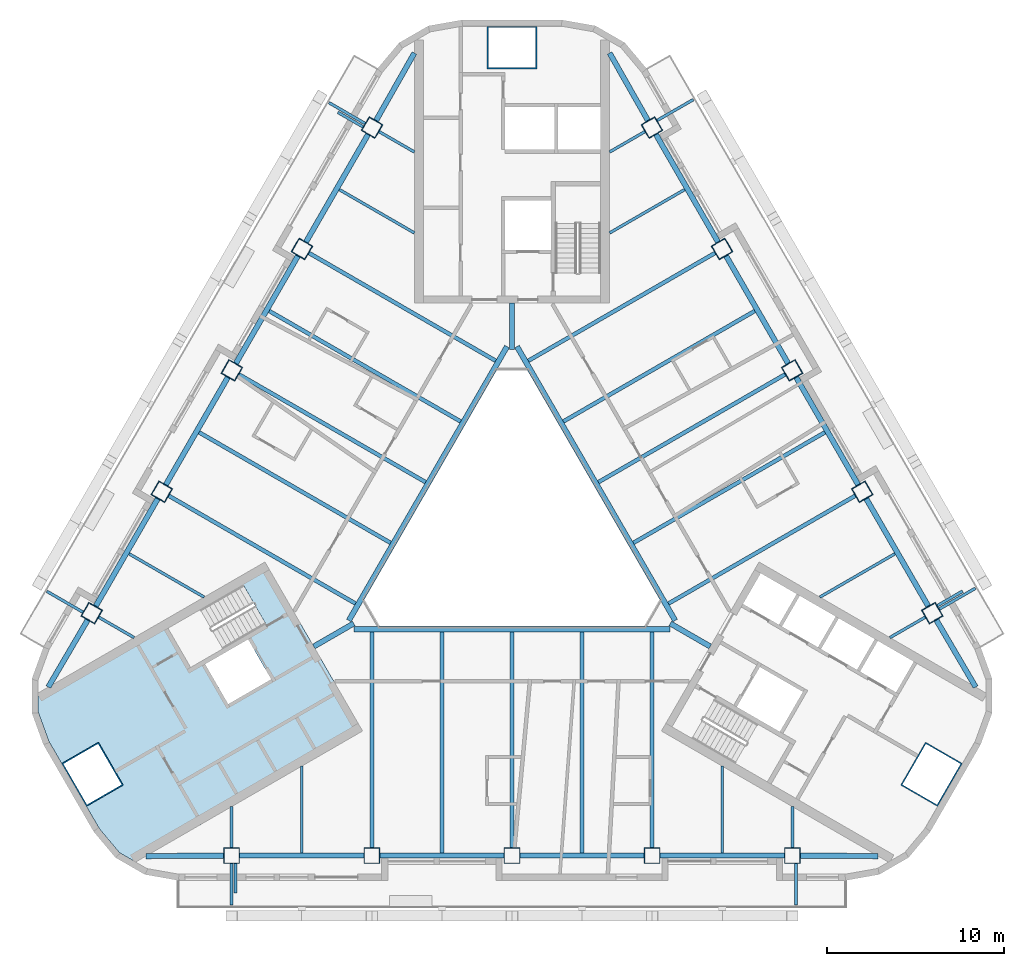
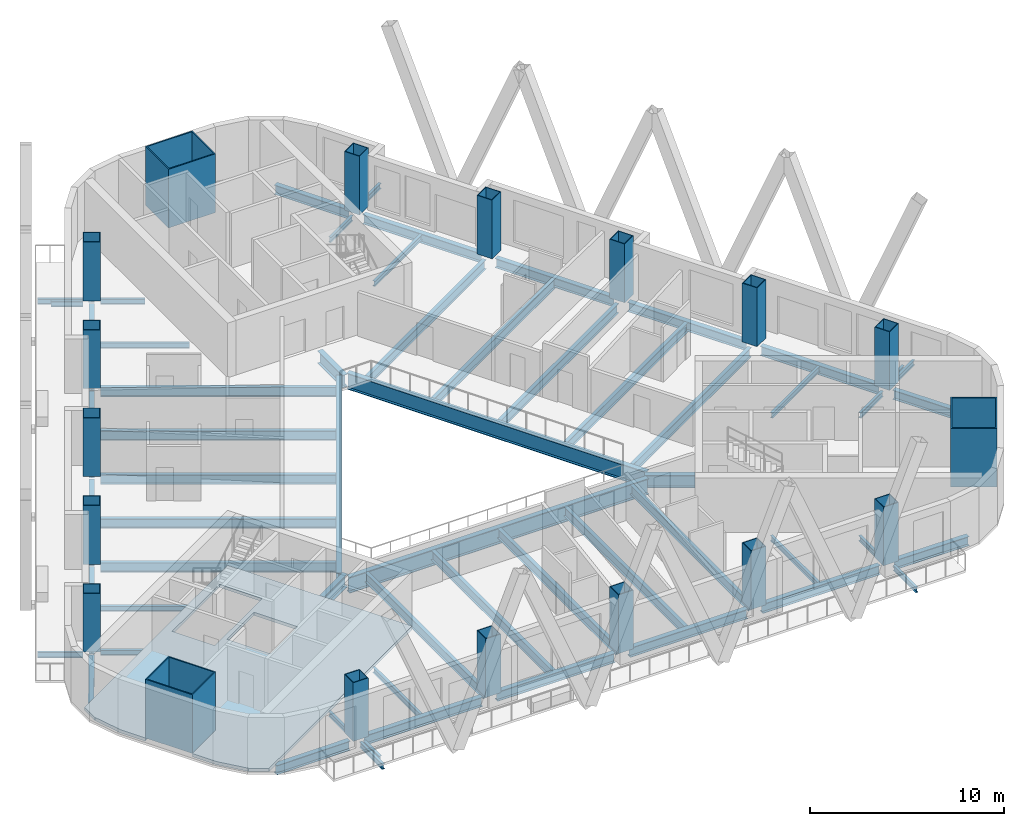
# One storey, part 1 of 13: 60 beams, 18 columns, 1 slab.
"""IFC4 building model written with IfcOpenShell, lengths in metres."""

from ifc_helpers import new_model, si_unit, direction, frame, origin, origin_2d, place, context, subcontext, project, spatial, polyline, rectangle, hollow_rectangle, i_section, outline, extrude, material, layer, layer_set, material_profile, profile_set, type_object, element, save


model = new_model("IFC4")

# Units and contexts
model_context = context("Model", 3, precision=1e-05, world=origin(), true_north=direction((0.0, 1.0)))
body_context = subcontext(model_context, "Body", "Model", "MODEL_VIEW")
ifc_project = project(units=[si_unit("LENGTHUNIT", "METRE"), si_unit("AREAUNIT", "SQUARE_METRE"), si_unit("VOLUMEUNIT", "CUBIC_METRE"), si_unit("PLANEANGLEUNIT", "RADIAN"), si_unit("MASSUNIT", "GRAM", prefix="KILO")], contexts=[model_context])

# Site, building, storey
site_placement = place(None, origin())
site = spatial("IfcSite", under=ifc_project, at=site_placement, CompositionType="ELEMENT")
building_placement = place(site_placement, origin())
building = spatial("IfcBuilding", under=site, at=building_placement, Name="Apuvela Tower Hotel", CompositionType="ELEMENT")
storey_placement = place(building_placement, frame((0.0, 0.0, 127.89990234375)))
storey = spatial("IfcBuildingStorey", under=building, at=storey_placement, Name="L30", CompositionType="ELEMENT", Elevation=127.89990234375)

# Columns
ifc_material_1 = material(Name="Steel S460", Category="steel")
ifc_material_profile_1 = material_profile(ifc_material_1, hollow_rectangle(XDim=2.800048828125, YDim=2.39990234375, WallThickness=0.070068359375, at=origin_2d()), Name="BOX 2800x2400x70")
ifc_material_2 = material(Name="Concrete C80/95", Category="concrete")
ifc_material_profile_2 = material_profile(ifc_material_2, rectangle(XDim=2.659912109375, YDim=2.260009765625, at=origin_2d()), Name="Concrete C80/95 infill")
ifc_profile_set_1 = profile_set([ifc_material_profile_1, ifc_material_profile_2], Name="Steel S460")
column_type_1 = type_object("IfcColumnType", Name="STR-MC mega column BOX 2800x2400x70", PredefinedType="COLUMN", material=ifc_profile_set_1)
for number, where, z_axis, x_axis, name in (
    (1, (0.0, 27.300048828125, 0.0), (0.0, 0.0, 1.0), (1.0, 0.0, 0.0), "Mega column MC2 N"),
    (2, (-23.642578125, -13.64990234375, 0.0), (0.0, 0.0, 1.0), (-0.5, 0.866025403784, 0.0), "Mega column MC2 SW"),
    (3, (23.642578125, -13.64990234375, 0.0), (0.0, 0.0, 1.0), (0.5, 0.866025403784, 0.0), "Mega column MC2 SE"),
):
    element("IfcColumn", number, at=place(storey_placement, frame(where, z_axis=z_axis, x_axis=x_axis)), inside=storey, type_object=column_type_1, Name=name, PredefinedType="COLUMN", context=body_context, shape_type="SweptSolid", body=[
        extrude(hollow_rectangle(XDim=2.800048828125, YDim=2.39990234375, WallThickness=0.070068359375, at=origin_2d()), origin(), (0.0, 0.0, 1.0), 3.7001953125),
    ])
ifc_material_profile_3 = material_profile(ifc_material_1, hollow_rectangle(XDim=0.89990234375, YDim=0.89990234375, WallThickness=0.0400390625, at=origin_2d()), Name="BOX 900x900x40")
ifc_material_profile_4 = material_profile(ifc_material_2, rectangle(XDim=0.820068359375, YDim=0.820068359375, at=origin_2d()), Name="Concrete C80/95 infill")
ifc_profile_set_2 = profile_set([ifc_material_profile_3, ifc_material_profile_4], Name="Steel S460")
column_type_2 = type_object("IfcColumnType", Name="STR-PC perimeter column BOX 900x900x40", PredefinedType="COLUMN", material=ifc_profile_set_2)
for number, where, z_axis, x_axis, name in (
    (4, (-15.800048828125, -18.22998046875, 0.0), (0.0, 0.0, 1.0), (-1.0, 0.0, 0.0), "Perimeter column C3 S1"),
    (5, (-7.89990234375, -18.22998046875, 0.0), (0.0, 0.0, 1.0), (-1.0, 0.0, 0.0), "Perimeter column C3 S2"),
    (6, (0.0, -18.22998046875, 0.0), (0.0, 0.0, 1.0), (-1.0, 0.0, 0.0), "Perimeter column C3 S3"),
    (7, (7.89990234375, -18.22998046875, 0.0), (0.0, 0.0, 1.0), (-1.0, 0.0, 0.0), "Perimeter column C3 S4"),
    (8, (15.800048828125, -18.22998046875, 0.0), (0.0, 0.0, 1.0), (-1.0, 0.0, 0.0), "Perimeter column C3 S5"),
    (9, (23.6875, -4.568115234375, 0.0), (0.0, 0.0, 1.0), (-0.5, 0.866025403784, 0.0), "Perimeter column C3 NE1"),
    (10, (19.737548828125, 2.2734375, 0.0), (0.0, 0.0, 1.0), (-0.5, 0.866025403784, 0.0), "Perimeter column C3 NE2"),
    (11, (15.78759765625, 9.114990234375, 0.0), (0.0, 0.0, 1.0), (-0.5, 0.866025403784, 0.0), "Perimeter column C3 NE3"),
    (12, (11.837646484375, 15.95654296875, 0.0), (0.0, 0.0, 1.0), (-0.5, 0.866025403784, 0.0), "Perimeter column C3 NE4"),
    (13, (7.8876953125, 22.798095703125, 0.0), (0.0, 0.0, 1.0), (-0.5, 0.866025403784, 0.0), "Perimeter column C3 NE5"),
    (14, (-7.8876953125, 22.798095703125, 0.0), (0.0, 0.0, 1.0), (0.5, 0.866025403784, 0.0), "Perimeter column C3 NW1"),
    (15, (-11.837646484375, 15.95654296875, 0.0), (0.0, 0.0, 1.0), (0.5, 0.866025403784, 0.0), "Perimeter column C3 NW2"),
    (16, (-15.78759765625, 9.114990234375, 0.0), (0.0, 0.0, 1.0), (0.5, 0.866025403784, 0.0), "Perimeter column C3 NW3"),
    (17, (-19.737548828125, 2.2734375, 0.0), (0.0, 0.0, 1.0), (0.5, 0.866025403784, 0.0), "Perimeter column C3 NW4"),
    (18, (-23.6875, -4.568115234375, 0.0), (0.0, 0.0, 1.0), (0.5, 0.866025403784, 0.0), "Perimeter column C3 NW5"),
):
    element("IfcColumn", number, at=place(storey_placement, frame(where, z_axis=z_axis, x_axis=x_axis)), inside=storey, type_object=column_type_2, Name=name, PredefinedType="COLUMN", context=body_context, shape_type="SweptSolid", body=[
        extrude(hollow_rectangle(XDim=0.89990234375, YDim=0.89990234375, WallThickness=0.0400390625, at=origin_2d()), origin(), (0.0, 0.0, 1.0), 3.7001953125),
    ])

# Beams
ifc_material_3 = material(Name="Steel S355", Category="steel")
ifc_material_profile_5 = material_profile(ifc_material_3, i_section(OverallWidth=0.159912109375, OverallDepth=0.330078125, WebThickness=0.007568359375, FlangeThickness=0.011474609375, at=origin_2d()), Name="IPE 330")
ifc_profile_set_3 = profile_set([ifc_material_profile_5], Name="Steel S355")
beam_type_1 = type_object("IfcBeamType", Name="ENV-BALCONY-BEAM-IPE330", PredefinedType="BEAM", material=ifc_profile_set_3)
beam_1_placement = place(storey_placement, frame((-15.800048828125, -18.679931640625, -0.31494140625), z_axis=(0.0, -1.0, 0.0), x_axis=(1.0, 0.0, 0.0)))
element("IfcBeam", 19, at=beam_1_placement, inside=storey, type_object=beam_type_1, Name="Balcony cantilever beam S1 L30", PredefinedType="BEAM", context=body_context, shape_type="SweptSolid", body=[
    extrude(i_section(OverallWidth=0.159912109375, OverallDepth=0.330078125, WebThickness=0.007568359375, FlangeThickness=0.011474609375, at=origin_2d()), origin(), (0.0, 0.0, 1.0), 2.35009765625),
])
beam_2_placement = place(storey_placement, frame((-15.580078125, -18.679931640625, -0.31494140625), z_axis=(0.0, -1.0, 0.0), x_axis=(1.0, 0.0, 0.0)))
element("IfcBeam", 20, at=beam_2_placement, inside=storey, type_object=beam_type_1, Name="Balcony cantilever beam S2 L30", PredefinedType="BEAM", context=body_context, shape_type="SweptSolid", body=[
    extrude(i_section(OverallWidth=0.159912109375, OverallDepth=0.330078125, WebThickness=0.007568359375, FlangeThickness=0.011474609375, at=origin_2d()), origin(), (0.0, 0.0, 1.0), 1.650146484375),
])
for number, where, z_axis, x_axis, name in (
    (21, (16.0, -18.679931640625, -0.31494140625), (0.0, -1.0, 0.0), (1.0, 0.0, 0.0), "Balcony cantilever beam S3 L30"),
    (22, (24.077392578125, -4.34326171875, -0.31494140625), (0.866016039709, 0.500016218704, 0.0), (-0.500016218704, 0.866016039709, 0.0), "Balcony cantilever beam NE1 L30"),
):
    element("IfcBeam", number, at=place(storey_placement, frame(where, z_axis=z_axis, x_axis=x_axis)), inside=storey, type_object=beam_type_1, Name=name, PredefinedType="BEAM", context=body_context, shape_type="SweptSolid", body=[
        extrude(i_section(OverallWidth=0.159912109375, OverallDepth=0.330078125, WebThickness=0.007568359375, FlangeThickness=0.011474609375, at=origin_2d()), origin(), (0.0, 0.0, 1.0), 2.35009765625),
    ])
beam_3_placement = place(storey_placement, frame((23.96728515625, -4.152587890625, -0.31494140625), z_axis=(0.866040211805, 0.499974350878, 0.0), x_axis=(-0.499974350878, 0.866040211805, 0.0)))
element("IfcBeam", 23, at=beam_3_placement, inside=storey, type_object=beam_type_1, Name="Balcony cantilever beam NE2 L30", PredefinedType="BEAM", context=body_context, shape_type="SweptSolid", body=[
    extrude(i_section(OverallWidth=0.159912109375, OverallDepth=0.330078125, WebThickness=0.007568359375, FlangeThickness=0.011474609375, at=origin_2d()), origin(), (0.0, 0.0, 1.0), 1.64990234375),
])
beam_4_placement = place(storey_placement, frame((8.177490234375, 23.1962890625, -0.31494140625), z_axis=(0.865990062348, 0.500061208168, 0.0), x_axis=(-0.500061208168, 0.865990062348, 0.0)))
element("IfcBeam", 24, at=beam_4_placement, inside=storey, type_object=beam_type_1, Name="Balcony cantilever beam NE3 L30", PredefinedType="BEAM", context=body_context, shape_type="SweptSolid", body=[
    extrude(i_section(OverallWidth=0.159912109375, OverallDepth=0.330078125, WebThickness=0.007568359375, FlangeThickness=0.011474609375, at=origin_2d()), origin(), (0.0, 0.0, 1.0), 2.349853515625),
])
beam_5_placement = place(storey_placement, frame((-8.27734375, 23.023193359375, -0.31494140625), z_axis=(-0.866016039709, 0.500016218704, 0.0), x_axis=(-0.500016218704, -0.866016039709, 0.0)))
element("IfcBeam", 25, at=beam_5_placement, inside=storey, type_object=beam_type_1, Name="Balcony cantilever beam NW1 L30", PredefinedType="BEAM", context=body_context, shape_type="SweptSolid", body=[
    extrude(i_section(OverallWidth=0.159912109375, OverallDepth=0.330078125, WebThickness=0.007568359375, FlangeThickness=0.011474609375, at=origin_2d()), origin(), (0.0, 0.0, 1.0), 2.35009765625),
])
beam_6_placement = place(storey_placement, frame((-8.387451171875, 22.832763671875, -0.31494140625), z_axis=(-0.866040211805, 0.499974350878, 0.0), x_axis=(-0.499974350878, -0.866040211805, 0.0)))
element("IfcBeam", 26, at=beam_6_placement, inside=storey, type_object=beam_type_1, Name="Balcony cantilever beam NW2 L30", PredefinedType="BEAM", context=body_context, shape_type="SweptSolid", body=[
    extrude(i_section(OverallWidth=0.159912109375, OverallDepth=0.330078125, WebThickness=0.007568359375, FlangeThickness=0.011474609375, at=origin_2d()), origin(), (0.0, 0.0, 1.0), 1.64990234375),
])
beam_7_placement = place(storey_placement, frame((-24.177490234375, -4.516357421875, -0.31494140625), z_axis=(-0.865990062348, 0.500061208168, 0.0), x_axis=(-0.500061208168, -0.865990062348, 0.0)))
element("IfcBeam", 27, at=beam_7_placement, inside=storey, type_object=beam_type_1, Name="Balcony cantilever beam NW3 L30", PredefinedType="BEAM", context=body_context, shape_type="SweptSolid", body=[
    extrude(i_section(OverallWidth=0.159912109375, OverallDepth=0.330078125, WebThickness=0.007568359375, FlangeThickness=0.011474609375, at=origin_2d()), origin(), (0.0, 0.0, 1.0), 2.349853515625),
])
ifc_material_profile_6 = material_profile(ifc_material_3, i_section(OverallWidth=0.159912109375, OverallDepth=0.330078125, WebThickness=0.007568359375, FlangeThickness=0.011474609375, at=origin_2d()), Name="IPE 330")
ifc_profile_set_4 = profile_set([ifc_material_profile_6], Name="Steel S355")
beam_type_2 = type_object("IfcBeamType", Name="STR-B floor beam IPE 330", PredefinedType="BEAM", material=ifc_profile_set_4)
beam_8_placement = place(storey_placement, frame((23.2978515625, -4.793212890625, -0.31494140625), z_axis=(-0.866000531106, -0.500043078269, 0.0), x_axis=(0.500043078269, -0.866000531106, 0.0)))
element("IfcBeam", 28, at=beam_8_placement, inside=storey, type_object=beam_type_2, Name="Floor beam B1 NE1", PredefinedType="BEAM", context=body_context, shape_type="SweptSolid", body=[
    extrude(i_section(OverallWidth=0.159912109375, OverallDepth=0.330078125, WebThickness=0.007568359375, FlangeThickness=0.011474609375, at=origin_2d()), origin(), (0.0, 0.0, 1.0), 2.306884765625),
])
for number, where, z_axis, x_axis, name in (
    (29, (21.582763671875, -1.222412109375, -0.31494140625), (-0.866015056278, -0.500017921979, 0.0), (0.500017921979, -0.866015056278, 0.0), "Floor beam B1 NE2"),
    (30, (9.732666015625, 19.302490234375, -0.31494140625), (-0.866015056278, -0.500017921979, 0.0), (0.500017921979, -0.866015056278, 0.0), "Floor beam B1 NE8"),
):
    element("IfcBeam", number, at=place(storey_placement, frame(where, z_axis=z_axis, x_axis=x_axis)), inside=storey, type_object=beam_type_2, Name=name, PredefinedType="BEAM", context=body_context, shape_type="SweptSolid", body=[
        extrude(i_section(OverallWidth=0.159912109375, OverallDepth=0.330078125, WebThickness=0.007568359375, FlangeThickness=0.011474609375, at=origin_2d()), origin(), (0.0, 0.0, 1.0), 4.887451171875),
    ])
for number, where, z_axis, x_axis, name in (
    (31, (7.497802734375, 22.5732421875, -0.31494140625), (-0.866000531106, -0.500043078269, 0.0), (0.500043078269, -0.866000531106, 0.0), "Floor beam B1 NE9"),
    (32, (-7.497802734375, 22.5732421875, -0.31494140625), (0.866000531106, -0.500043078269, 0.0), (0.500043078269, 0.866000531106, 0.0), "Floor beam B1 NW1"),
):
    element("IfcBeam", number, at=place(storey_placement, frame(where, z_axis=z_axis, x_axis=x_axis)), inside=storey, type_object=beam_type_2, Name=name, PredefinedType="BEAM", context=body_context, shape_type="SweptSolid", body=[
        extrude(i_section(OverallWidth=0.159912109375, OverallDepth=0.330078125, WebThickness=0.007568359375, FlangeThickness=0.011474609375, at=origin_2d()), origin(), (0.0, 0.0, 1.0), 2.306884765625),
    ])
for number, where, z_axis, x_axis, name in (
    (33, (-9.732666015625, 19.302490234375, -0.31494140625), (0.866015056278, -0.500017921979, 0.0), (0.500017921979, 0.866015056278, 0.0), "Floor beam B1 NW2"),
    (34, (-21.582763671875, -1.222412109375, -0.31494140625), (0.866015056278, -0.500017921979, 0.0), (0.500017921979, 0.866015056278, 0.0), "Floor beam B1 NW8"),
):
    element("IfcBeam", number, at=place(storey_placement, frame(where, z_axis=z_axis, x_axis=x_axis)), inside=storey, type_object=beam_type_2, Name=name, PredefinedType="BEAM", context=body_context, shape_type="SweptSolid", body=[
        extrude(i_section(OverallWidth=0.159912109375, OverallDepth=0.330078125, WebThickness=0.007568359375, FlangeThickness=0.011474609375, at=origin_2d()), origin(), (0.0, 0.0, 1.0), 4.887451171875),
    ])
beam_9_placement = place(storey_placement, frame((-23.2978515625, -4.793212890625, -0.31494140625), z_axis=(0.866000531106, -0.500043078269, 0.0), x_axis=(0.500043078269, 0.866000531106, 0.0)))
element("IfcBeam", 35, at=beam_9_placement, inside=storey, type_object=beam_type_2, Name="Floor beam B1 NW9", PredefinedType="BEAM", context=body_context, shape_type="SweptSolid", body=[
    extrude(i_section(OverallWidth=0.159912109375, OverallDepth=0.330078125, WebThickness=0.007568359375, FlangeThickness=0.011474609375, at=origin_2d()), origin(), (0.0, 0.0, 1.0), 2.306884765625),
])
beam_10_placement = place(storey_placement, frame((-15.800048828125, -17.780029296875, -0.31494140625), z_axis=(0.0, 1.0, 0.0), x_axis=(-1.0, 0.0, 0.0)))
element("IfcBeam", 36, at=beam_10_placement, inside=storey, type_object=beam_type_2, Name="Floor beam B1 S1", PredefinedType="BEAM", context=body_context, shape_type="SweptSolid", body=[
    extrude(i_section(OverallWidth=0.159912109375, OverallDepth=0.330078125, WebThickness=0.007568359375, FlangeThickness=0.011474609375, at=origin_2d()), origin(), (0.0, 0.0, 1.0), 2.30712890625),
])
for number, where, z_axis, x_axis, name in (
    (37, (-11.85009765625, -18.080078125, -0.31494140625), (0.0, 1.0, 0.0), (-1.0, 0.0, 0.0), "Floor beam B1 S2"),
    (38, (11.85009765625, -18.080078125, -0.31494140625), (0.0, 1.0, 0.0), (-1.0, 0.0, 0.0), "Floor beam B1 S8"),
):
    element("IfcBeam", number, at=place(storey_placement, frame(where, z_axis=z_axis, x_axis=x_axis)), inside=storey, type_object=beam_type_2, Name=name, PredefinedType="BEAM", context=body_context, shape_type="SweptSolid", body=[
        extrude(i_section(OverallWidth=0.159912109375, OverallDepth=0.330078125, WebThickness=0.007568359375, FlangeThickness=0.011474609375, at=origin_2d()), origin(), (0.0, 0.0, 1.0), 4.8876953125),
    ])
beam_11_placement = place(storey_placement, frame((15.800048828125, -17.780029296875, -0.31494140625), z_axis=(0.0, 1.0, 0.0), x_axis=(-1.0, 0.0, 0.0)))
element("IfcBeam", 39, at=beam_11_placement, inside=storey, type_object=beam_type_2, Name="Floor beam B1 S9", PredefinedType="BEAM", context=body_context, shape_type="SweptSolid", body=[
    extrude(i_section(OverallWidth=0.159912109375, OverallDepth=0.330078125, WebThickness=0.007568359375, FlangeThickness=0.011474609375, at=origin_2d()), origin(), (0.0, 0.0, 1.0), 2.30712890625),
])
ifc_material_profile_7 = material_profile(ifc_material_3, i_section(OverallWidth=0.219970703125, OverallDepth=0.60009765625, WebThickness=0.011962890625, FlangeThickness=0.01904296875, at=origin_2d()), Name="IPE 600")
ifc_profile_set_5 = profile_set([ifc_material_profile_7], Name="Steel S355")
beam_type_3 = type_object("IfcBeamType", Name="STR-B floor beam IPE 600", PredefinedType="BEAM", material=ifc_profile_set_5)
beam_12_placement = place(storey_placement, frame((19.347900390625, 2.04833984375, -0.449951171875), z_axis=(-0.866028751965, -0.499994200737, 0.0), x_axis=(0.499994200737, -0.866028751965, 0.0)))
element("IfcBeam", 40, at=beam_12_placement, inside=storey, type_object=beam_type_3, Name="Floor beam B8 NE3", PredefinedType="BEAM", context=body_context, shape_type="SweptSolid", body=[
    extrude(i_section(OverallWidth=0.219970703125, OverallDepth=0.60009765625, WebThickness=0.011962890625, FlangeThickness=0.01904296875, at=origin_2d()), origin(), (0.0, 0.0, 1.0), 12.157958984375),
])
beam_13_placement = place(storey_placement, frame((17.6328125, 5.619140625, -0.449951171875), z_axis=(-0.866027636335, -0.499996133089, 0.0), x_axis=(0.499996133089, -0.866027636335, 0.0)))
element("IfcBeam", 41, at=beam_13_placement, inside=storey, type_object=beam_type_3, Name="Floor beam B8 NE4", PredefinedType="BEAM", context=body_context, shape_type="SweptSolid", body=[
    extrude(i_section(OverallWidth=0.219970703125, OverallDepth=0.60009765625, WebThickness=0.011962890625, FlangeThickness=0.01904296875, at=origin_2d()), origin(), (0.0, 0.0, 1.0), 12.4580078125),
])
beam_14_placement = place(storey_placement, frame((15.39794921875, 8.889892578125, -0.449951171875), z_axis=(-0.866028751965, -0.499994200737, 0.0), x_axis=(0.499994200737, -0.866028751965, 0.0)))
element("IfcBeam", 42, at=beam_14_placement, inside=storey, type_object=beam_type_3, Name="Floor beam B8 NE5", PredefinedType="BEAM", context=body_context, shape_type="SweptSolid", body=[
    extrude(i_section(OverallWidth=0.219970703125, OverallDepth=0.60009765625, WebThickness=0.011962890625, FlangeThickness=0.01904296875, at=origin_2d()), origin(), (0.0, 0.0, 1.0), 12.157958984375),
])
beam_15_placement = place(storey_placement, frame((13.6826171875, 12.460693359375, -0.449951171875), z_axis=(-0.866022737053, -0.500004618886, 0.0), x_axis=(0.500004618886, -0.866022737053, 0.0)))
element("IfcBeam", 43, at=beam_15_placement, inside=storey, type_object=beam_type_3, Name="Floor beam B8 NE6", PredefinedType="BEAM", context=body_context, shape_type="SweptSolid", body=[
    extrude(i_section(OverallWidth=0.219970703125, OverallDepth=0.60009765625, WebThickness=0.011962890625, FlangeThickness=0.01904296875, at=origin_2d()), origin(), (0.0, 0.0, 1.0), 12.4580078125),
])
for number, where, z_axis, x_axis, name in (
    (44, (11.447998046875, 15.731689453125, -0.449951171875), (-0.866025076934, -0.500000566121, 0.0), (0.500000566121, -0.866025076934, 0.0), "Floor beam B8 NE7"),
    (45, (-11.447998046875, 15.731689453125, -0.449951171875), (0.866025076934, -0.500000566121, 0.0), (0.500000566121, 0.866025076934, 0.0), "Floor beam B8 NW3"),
):
    element("IfcBeam", number, at=place(storey_placement, frame(where, z_axis=z_axis, x_axis=x_axis)), inside=storey, type_object=beam_type_3, Name=name, PredefinedType="BEAM", context=body_context, shape_type="SweptSolid", body=[
        extrude(i_section(OverallWidth=0.219970703125, OverallDepth=0.60009765625, WebThickness=0.011962890625, FlangeThickness=0.01904296875, at=origin_2d()), origin(), (0.0, 0.0, 1.0), 12.158203125),
    ])
beam_16_placement = place(storey_placement, frame((-13.6826171875, 12.460693359375, -0.449951171875), z_axis=(0.866022737053, -0.500004618886, 0.0), x_axis=(0.500004618886, 0.866022737053, 0.0)))
element("IfcBeam", 46, at=beam_16_placement, inside=storey, type_object=beam_type_3, Name="Floor beam B8 NW4", PredefinedType="BEAM", context=body_context, shape_type="SweptSolid", body=[
    extrude(i_section(OverallWidth=0.219970703125, OverallDepth=0.60009765625, WebThickness=0.011962890625, FlangeThickness=0.01904296875, at=origin_2d()), origin(), (0.0, 0.0, 1.0), 12.4580078125),
])
beam_17_placement = place(storey_placement, frame((-15.39794921875, 8.889892578125, -0.449951171875), z_axis=(0.866028751965, -0.499994200737, 0.0), x_axis=(0.499994200737, 0.866028751965, 0.0)))
element("IfcBeam", 47, at=beam_17_placement, inside=storey, type_object=beam_type_3, Name="Floor beam B8 NW5", PredefinedType="BEAM", context=body_context, shape_type="SweptSolid", body=[
    extrude(i_section(OverallWidth=0.219970703125, OverallDepth=0.60009765625, WebThickness=0.011962890625, FlangeThickness=0.01904296875, at=origin_2d()), origin(), (0.0, 0.0, 1.0), 12.157958984375),
])
beam_18_placement = place(storey_placement, frame((-17.6328125, 5.619140625, -0.449951171875), z_axis=(0.866027636335, -0.499996133089, 0.0), x_axis=(0.499996133089, 0.866027636335, 0.0)))
element("IfcBeam", 48, at=beam_18_placement, inside=storey, type_object=beam_type_3, Name="Floor beam B8 NW6", PredefinedType="BEAM", context=body_context, shape_type="SweptSolid", body=[
    extrude(i_section(OverallWidth=0.219970703125, OverallDepth=0.60009765625, WebThickness=0.011962890625, FlangeThickness=0.01904296875, at=origin_2d()), origin(), (0.0, 0.0, 1.0), 12.4580078125),
])
for number, where, z_axis, x_axis, name in (
    (49, (-19.347900390625, 2.04833984375, -0.449951171875), (0.866028751965, -0.499994200737, 0.0), (0.499994200737, 0.866028751965, 0.0), "Floor beam B8 NW7"),
    (50, (-7.89990234375, -17.780029296875, -0.449951171875), (0.0, 1.0, 0.0), (-1.0, 0.0, 0.0), "Floor beam B8 S3"),
):
    element("IfcBeam", number, at=place(storey_placement, frame(where, z_axis=z_axis, x_axis=x_axis)), inside=storey, type_object=beam_type_3, Name=name, PredefinedType="BEAM", context=body_context, shape_type="SweptSolid", body=[
        extrude(i_section(OverallWidth=0.219970703125, OverallDepth=0.60009765625, WebThickness=0.011962890625, FlangeThickness=0.01904296875, at=origin_2d()), origin(), (0.0, 0.0, 1.0), 12.157958984375),
    ])
beam_19_placement = place(storey_placement, frame((-3.949951171875, -18.080078125, -0.449951171875), z_axis=(0.0, 1.0, 0.0), x_axis=(-1.0, 0.0, 0.0)))
element("IfcBeam", 51, at=beam_19_placement, inside=storey, type_object=beam_type_3, Name="Floor beam B8 S4", PredefinedType="BEAM", context=body_context, shape_type="SweptSolid", body=[
    extrude(i_section(OverallWidth=0.219970703125, OverallDepth=0.60009765625, WebThickness=0.011962890625, FlangeThickness=0.01904296875, at=origin_2d()), origin(), (0.0, 0.0, 1.0), 12.4580078125),
])
beam_20_placement = place(storey_placement, frame((0.0, -17.780029296875, -0.449951171875), z_axis=(0.0, 1.0, 0.0), x_axis=(-1.0, 0.0, 0.0)))
element("IfcBeam", 52, at=beam_20_placement, inside=storey, type_object=beam_type_3, Name="Floor beam B8 S5", PredefinedType="BEAM", context=body_context, shape_type="SweptSolid", body=[
    extrude(i_section(OverallWidth=0.219970703125, OverallDepth=0.60009765625, WebThickness=0.011962890625, FlangeThickness=0.01904296875, at=origin_2d()), origin(), (0.0, 0.0, 1.0), 12.157958984375),
])
beam_21_placement = place(storey_placement, frame((3.949951171875, -18.080078125, -0.449951171875), z_axis=(0.0, 1.0, 0.0), x_axis=(-1.0, 0.0, 0.0)))
element("IfcBeam", 53, at=beam_21_placement, inside=storey, type_object=beam_type_3, Name="Floor beam B8 S6", PredefinedType="BEAM", context=body_context, shape_type="SweptSolid", body=[
    extrude(i_section(OverallWidth=0.219970703125, OverallDepth=0.60009765625, WebThickness=0.011962890625, FlangeThickness=0.01904296875, at=origin_2d()), origin(), (0.0, 0.0, 1.0), 12.4580078125),
])
beam_22_placement = place(storey_placement, frame((7.89990234375, -17.780029296875, -0.449951171875), z_axis=(0.0, 1.0, 0.0), x_axis=(-1.0, 0.0, 0.0)))
element("IfcBeam", 54, at=beam_22_placement, inside=storey, type_object=beam_type_3, Name="Floor beam B8 S7", PredefinedType="BEAM", context=body_context, shape_type="SweptSolid", body=[
    extrude(i_section(OverallWidth=0.219970703125, OverallDepth=0.60009765625, WebThickness=0.011962890625, FlangeThickness=0.01904296875, at=origin_2d()), origin(), (0.0, 0.0, 1.0), 12.157958984375),
])
ifc_material_profile_8 = material_profile(ifc_material_3, i_section(OverallWidth=0.302001953125, OverallDepth=1.008056640625, WebThickness=0.02099609375, FlangeThickness=0.0400390625, at=origin_2d()), Name="HE 1000 M")
ifc_profile_set_6 = profile_set([ifc_material_profile_8], Name="Steel S355")
beam_type_4 = type_object("IfcBeamType", Name="STR-G atrium ring girder HE 1000 M", PredefinedType="BEAM", material=ifc_profile_set_6)
for number, where, z_axis, x_axis, name in (
    (55, (-0.28076171875, 10.455810546875, -0.65380859375), (-0.500000611842, -0.866025050537, 0.0), (0.866025050537, -0.500000611842, 0.0), "Atrium ring girder G1 N-SW"),
    (56, (-8.91455078125, -5.470947265625, -0.65380859375), (1.0, 0.0, 0.0), (0.0, 1.0, 0.0), "Atrium ring girder G1 SW-SE"),
    (57, (9.1953125, -4.984619140625, -0.65380859375), (-0.500000611842, 0.866025050537, 0.0), (-0.866025050537, -0.500000611842, 0.0), "Atrium ring girder G1 SE-N"),
):
    element("IfcBeam", number, at=place(storey_placement, frame(where, z_axis=z_axis, x_axis=x_axis)), inside=storey, type_object=beam_type_4, Name=name, PredefinedType="BEAM", context=body_context, shape_type="SweptSolid", body=[
        extrude(i_section(OverallWidth=0.302001953125, OverallDepth=1.008056640625, WebThickness=0.02099609375, FlangeThickness=0.0400390625, at=origin_2d()), origin(), (0.0, 0.0, 1.0), 17.8291015625),
    ])
ifc_material_profile_9 = material_profile(ifc_material_3, i_section(OverallWidth=0.300048828125, OverallDepth=0.800048828125, WebThickness=0.017578125, FlangeThickness=0.032958984375, at=origin_2d()), Name="HE 800 B")
ifc_profile_set_7 = profile_set([ifc_material_profile_9], Name="Steel S355")
beam_type_5 = type_object("IfcBeamType", Name="STR-GT core tie beam HE 800 B", PredefinedType="BEAM", material=ifc_profile_set_7)
for number, where, z_axis, x_axis, name in (
    (58, (0.0, 12.89990234375, -0.5498046875), (0.0, -1.0, 0.0), (1.0, 0.0, 0.0), "Core tie beam GT1 N"),
    (59, (-11.171630859375, -6.449951171875, -0.5498046875), (0.865997922154, 0.500047596559, 0.0), (-0.500047596559, 0.865997922154, 0.0), "Core tie beam GT1 SW"),
    (60, (11.171630859375, -6.449951171875, -0.5498046875), (-0.865997922154, 0.500047596559, 0.0), (-0.500047596559, -0.865997922154, 0.0), "Core tie beam GT1 SE"),
):
    element("IfcBeam", number, at=place(storey_placement, frame(where, z_axis=z_axis, x_axis=x_axis)), inside=storey, type_object=beam_type_5, Name=name, PredefinedType="BEAM", context=body_context, shape_type="SweptSolid", body=[
        extrude(i_section(OverallWidth=0.300048828125, OverallDepth=0.800048828125, WebThickness=0.017578125, FlangeThickness=0.032958984375, at=origin_2d()), origin(), (0.0, 0.0, 1.0), 2.599853515625),
    ])
ifc_material_profile_10 = material_profile(ifc_material_3, i_section(OverallWidth=0.300048828125, OverallDepth=0.590087890625, WebThickness=0.012939453125, FlangeThickness=0.02490234375, at=origin_2d()), Name="HE 600 A")
ifc_profile_set_8 = profile_set([ifc_material_profile_10], Name="Steel S355")
beam_type_6 = type_object("IfcBeamType", Name="STR-SB spandrel beam HE 600 A", PredefinedType="SPANDREL", material=ifc_profile_set_8)
for number, where, z_axis, x_axis, name in (
    (61, (-15.35009765625, -18.22998046875, -0.44482421875), (1.0, 0.0, 0.0), (0.0, 1.0, 0.0), "Spandrel beam SB2 S1"),
    (62, (-7.449951171875, -18.22998046875, -0.44482421875), (1.0, 0.0, 0.0), (0.0, 1.0, 0.0), "Spandrel beam SB2 S2"),
    (63, (0.449951171875, -18.22998046875, -0.44482421875), (1.0, 0.0, 0.0), (0.0, 1.0, 0.0), "Spandrel beam SB2 S3"),
    (64, (8.35009765625, -18.22998046875, -0.44482421875), (1.0, 0.0, 0.0), (0.0, 1.0, 0.0), "Spandrel beam SB2 S4"),
    (65, (23.462646484375, -4.178466796875, -0.44482421875), (-0.499995173006, 0.866028190633, 0.0), (-0.866028190633, -0.499995173006, 0.0), "Spandrel beam SB2 NE1"),
    (66, (19.5126953125, 2.6630859375, -0.44482421875), (-0.499995173006, 0.866028190633, 0.0), (-0.866028190633, -0.499995173006, 0.0), "Spandrel beam SB2 NE2"),
    (67, (15.5625, 9.504638671875, -0.44482421875), (-0.499995173006, 0.866028190633, 0.0), (-0.866028190633, -0.499995173006, 0.0), "Spandrel beam SB2 NE3"),
    (68, (11.612548828125, 16.34619140625, -0.44482421875), (-0.499995173006, 0.866028190633, 0.0), (-0.866028190633, -0.499995173006, 0.0), "Spandrel beam SB2 NE4"),
    (69, (-8.112548828125, 22.408447265625, -0.44482421875), (-0.499995173006, -0.866028190633, 0.0), (0.866028190633, -0.499995173006, 0.0), "Spandrel beam SB2 NW1"),
    (70, (-12.0625, 15.56689453125, -0.44482421875), (-0.499995173006, -0.866028190633, 0.0), (0.866028190633, -0.499995173006, 0.0), "Spandrel beam SB2 NW2"),
    (71, (-16.0126953125, 8.725341796875, -0.44482421875), (-0.499995173006, -0.866028190633, 0.0), (0.866028190633, -0.499995173006, 0.0), "Spandrel beam SB2 NW3"),
    (72, (-19.962646484375, 1.8837890625, -0.44482421875), (-0.499995173006, -0.866028190633, 0.0), (0.866028190633, -0.499995173006, 0.0), "Spandrel beam SB2 NW4"),
):
    element("IfcBeam", number, at=place(storey_placement, frame(where, z_axis=z_axis, x_axis=x_axis)), inside=storey, type_object=beam_type_6, Name=name, PredefinedType="SPANDREL", context=body_context, shape_type="SweptSolid", body=[
        extrude(i_section(OverallWidth=0.300048828125, OverallDepth=0.590087890625, WebThickness=0.012939453125, FlangeThickness=0.02490234375, at=origin_2d()), origin(), (0.0, 0.0, 1.0), 7.0),
    ])
for number, where, z_axis, x_axis, name in (
    (73, (-16.25, -18.233154296875, -0.44482421875), (-0.999976528586, -0.006851443461, 0.0), (0.006851443461, -0.999976528586, 0.0), "Spandrel beam SB2 S1-SW"),
    (74, (16.25, -18.233154296875, -0.44482421875), (0.999976528586, -0.006851443461, 0.0), (0.006851443461, 0.999976528586, 0.0), "Spandrel beam SB2 S5-SE"),
    (75, (23.915283203125, -4.956298828125, -0.44482421875), (0.505951068275, -0.862562181244, 0.0), (0.862562181244, 0.505951068275, 0.0), "Spandrel beam SB2 NE1-SE"),
    (76, (7.665283203125, 23.189453125, -0.44482421875), (-0.494043860968, 0.869436980718, 0.0), (-0.869436980718, -0.494043860968, 0.0), "Spandrel beam SB2 NE5-N"),
    (77, (-7.665283203125, 23.189453125, -0.44482421875), (0.494043860968, 0.869436980718, 0.0), (-0.869436980718, 0.494043860968, 0.0), "Spandrel beam SB2 NW1-N"),
    (78, (-23.915283203125, -4.956298828125, -0.44482421875), (-0.505951068275, -0.862562181244, 0.0), (0.862562181244, -0.505951068275, 0.0), "Spandrel beam SB2 NW5-SW"),
):
    element("IfcBeam", number, at=place(storey_placement, frame(where, z_axis=z_axis, x_axis=x_axis)), inside=storey, type_object=beam_type_6, Name=name, PredefinedType="SPANDREL", context=body_context, shape_type="SweptSolid", body=[
        extrude(i_section(OverallWidth=0.300048828125, OverallDepth=0.590087890625, WebThickness=0.012939453125, FlangeThickness=0.02490234375, at=origin_2d()), origin(), (0.0, 0.0, 1.0), 4.3828125),
    ])

# Slab
ifc_material_4 = material(Name="Concrete C50/60", Category="concrete")
ifc_layer = layer(ifc_material_4, 0.199951171875)
ifc_layer_set = layer_set([ifc_layer], Name="COR-FLOOR-200")
slab_type = type_object("IfcSlabType", Name="COR-FLOOR-200", PredefinedType="FLOOR", material=ifc_layer_set)
slab_placement = place(storey_placement, frame((0.0, 0.0, -0.199951171875)))
element("IfcSlab", 79, at=slab_placement, inside=storey, type_object=slab_type, Name="Core floor SW", PredefinedType="FLOOR", context=body_context, shape_type="SweptSolid", body=[
    extrude(outline(polyline([(-26.711181640625, -9.07080078125), (-26.711181640625, -10.123291015625), (-26.109375, -11.77734375), (-25.381591796875, -13.03759765625), (-23.30322265625, -11.837646484375), (-21.9033203125, -14.262451171875), (-23.981689453125, -15.46240234375), (-23.254150390625, -16.72265625), (-22.122802734375, -18.071044921875), (-21.211181640625, -18.59716796875), (-8.421630859375, -11.213134765625), (-13.921630859375, -1.68701171875), (-26.711181640625, -9.07080078125)]), holes=[polyline([(-13.874267578125, -5.18115234375), (-18.112548828125, -7.628173828125), (-19.387451171875, -5.419921875), (-15.149169921875, -2.972900390625), (-13.874267578125, -5.18115234375)]), polyline([(-13.56982421875, -8.29638671875), (-15.99462890625, -9.6962890625), (-17.294677734375, -7.444580078125), (-14.869873046875, -6.044677734375), (-13.56982421875, -8.29638671875)])]), origin(), (0.0, 0.0, 1.0), 0.199951171875),
])

save(model, "model.ifc")
